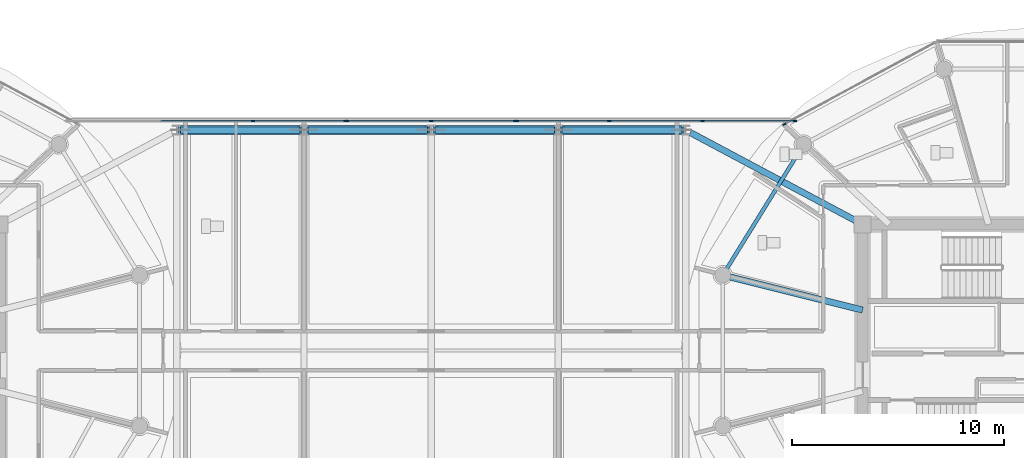
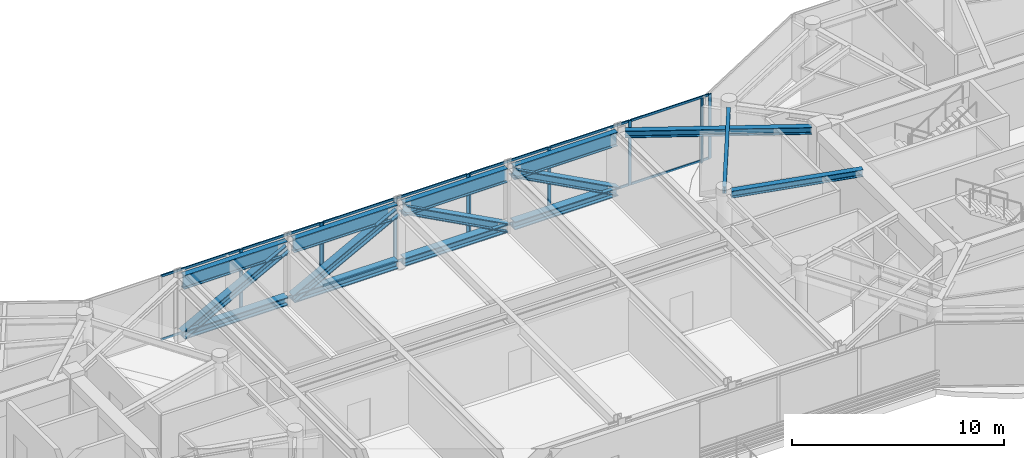
# One storey, part 8 of 31: 32 members, 7 beams, 4 elements without a shape of their own.
"""IFC4 building model written with IfcOpenShell, lengths in metres."""

from ifc_helpers import new_model, si_unit, direction, frame, origin, origin_2d, place, context, subcontext, project, spatial, rectangle, i_section, extrude, source, transform, mapped, material, layer, layer_set, material_profile, profile_set, type_object, type_shapes, element, aggregate, save


model = new_model("IFC4")

# Units and contexts
model_context = context("Model", 3, precision=1e-05, world=origin(), true_north=direction((0.0, 1.0)))
body_context = subcontext(model_context, "Body", "Model", "MODEL_VIEW")
ifc_project = project(units=[si_unit("LENGTHUNIT", "METRE"), si_unit("AREAUNIT", "SQUARE_METRE"), si_unit("VOLUMEUNIT", "CUBIC_METRE"), si_unit("PLANEANGLEUNIT", "RADIAN"), si_unit("MASSUNIT", "GRAM", prefix="KILO")], contexts=[model_context])

# Site, building, storey
site_placement = place(None, origin())
site = spatial("IfcSite", under=ifc_project, at=site_placement, CompositionType="ELEMENT")
building_placement = place(site_placement, origin())
building = spatial("IfcBuilding", under=site, at=building_placement, Name="Norrkilde Senior Care Towers", CompositionType="ELEMENT")
storey_placement = place(building_placement, frame((0.0, 0.0, 199.800048828125)))
storey = spatial("IfcBuildingStorey", under=building, at=storey_placement, Name="L62", CompositionType="ELEMENT", Elevation=199.800048828125)

# Beams
ifc_material_1 = material(Name="Steel S355", Category="steel")
ifc_material_profile_1 = material_profile(ifc_material_1, i_section(OverallWidth=0.179931640625, OverallDepth=0.39990234375, WebThickness=0.008544921875, FlangeThickness=0.013427734375, FilletRadius=0.02099609375, at=origin_2d()), Name="IPE 400")
ifc_profile_set_1 = profile_set([ifc_material_profile_1], Name="Steel S355")
beam_type_1 = type_object("IfcBeamType", Name="Perimeter Ring Spandrel Z4 IPE400", PredefinedType="SPANDREL", material=ifc_profile_set_1)
shared_shape_1 = source(origin(), body_context, "Body", "SweptSolid", [
    extrude(i_section(OverallWidth=0.179931640625, OverallDepth=0.39990234375, WebThickness=0.008544921875, FlangeThickness=0.013427734375, FilletRadius=0.02099609375, at=origin_2d()), origin(), (0.0, 0.0, 1.0), 6.58056640625),
])
type_shapes(beam_type_1, [shared_shape_1])
beam_1_placement = place(storey_placement, frame((17.393798828125, 9.43798828125, 3.510009765625), z_axis=(-0.526529583789, -0.850156807533, 0.0), x_axis=(0.850156807533, -0.526529583789, 0.0)))
element("IfcBeam", 1, at=beam_1_placement, inside=storey, type_object=beam_type_1, Name="L62 Drum E Perimeter Spandrel 05", PredefinedType="SPANDREL", context=body_context, shape_type="MappedRepresentation", body=[
    mapped(shared_shape_1, transform((0.0, 0.0, 0.0), x_axis=(1.0, 0.0, 0.0), y_axis=(0.0, 1.0, 0.0), z_axis=(0.0, 0.0, 1.0), scale=1.0)),
])
ifc_material_profile_2 = material_profile(ifc_material_1, i_section(OverallWidth=0.300048828125, OverallDepth=0.39990234375, WebThickness=0.013427734375, FlangeThickness=0.02392578125, FilletRadius=0.027099609375, at=origin_2d()), Name="HEB 400")
ifc_profile_set_2 = profile_set([ifc_material_profile_2], Name="Steel S355")
beam_type_2 = type_object("IfcBeamType", Name="Radial Floor Beam Z4 HEB400", PredefinedType="BEAM", material=ifc_profile_set_2)
shared_shape_2 = source(origin(), body_context, "Body", "SweptSolid", [
    extrude(i_section(OverallWidth=0.300048828125, OverallDepth=0.39990234375, WebThickness=0.013427734375, FlangeThickness=0.02392578125, FilletRadius=0.027099609375, at=origin_2d()), origin(), (0.0, 0.0, 1.0), 6.465087890625),
])
beam_2_placement = place(storey_placement, frame((20.35009765625, 1.910888671875, 3.510009765625), z_axis=(-0.970195788563, 0.242322371758, 0.0), x_axis=(-0.242322371758, -0.970195788563, 0.0)))
element("IfcBeam", 2, at=beam_2_placement, inside=storey, type_object=beam_type_2, Name="L62 Drum E Radial Floor Beam 06", PredefinedType="BEAM", context=body_context, shape_type="MappedRepresentation", body=[
    mapped(shared_shape_2, transform((0.0, 0.0, 0.0), x_axis=(1.0, 0.0, 0.0), y_axis=(0.0, 1.0, 0.0), z_axis=(0.0, 0.0, 1.0), scale=1.0)),
])
shared_shape_3 = source(origin(), body_context, "Body", "SweptSolid", [
    extrude(i_section(OverallWidth=0.300048828125, OverallDepth=0.39990234375, WebThickness=0.013427734375, FlangeThickness=0.02392578125, FilletRadius=0.027099609375, at=origin_2d()), origin(), (0.0, 0.0, 1.0), 8.831787109375),
])
type_shapes(beam_type_2, [shared_shape_2, shared_shape_3])
beam_3_placement = place(storey_placement, frame((12.220703125, 10.282470703125, 3.510009765625), z_axis=(0.882492172381, -0.470327083727, 0.0), x_axis=(0.470327083727, 0.882492172381, 0.0)))
element("IfcBeam", 3, at=beam_3_placement, inside=storey, type_object=beam_type_2, Name="L62 Sky-Gate Bridge Girder N6", PredefinedType="BEAM", context=body_context, shape_type="MappedRepresentation", body=[
    mapped(shared_shape_3, transform((0.0, 0.0, 0.0), x_axis=(1.0, 0.0, 0.0), y_axis=(0.0, 1.0, 0.0), z_axis=(0.0, 0.0, 1.0), scale=1.0)),
])
ifc_material_profile_3 = material_profile(ifc_material_1, i_section(OverallWidth=0.300048828125, OverallDepth=0.800048828125, WebThickness=0.017578125, FlangeThickness=0.032958984375, FilletRadius=0.030029296875, at=origin_2d()), Name="HEB 800")
ifc_profile_set_3 = profile_set([ifc_material_profile_3], Name="Steel S355")
beam_type_3 = type_object("IfcBeamType", Name="Bridge Floor Girder HEB800", PredefinedType="USERDEFINED", material=ifc_profile_set_3)
shared_shape_4 = source(origin(), body_context, "Body", "SweptSolid", [
    extrude(i_section(OverallWidth=0.300048828125, OverallDepth=0.800048828125, WebThickness=0.017578125, FlangeThickness=0.032958984375, FilletRadius=0.030029296875, at=origin_2d()), origin(), (0.0, 0.0, 1.0), 5.64013671875),
])
type_shapes(beam_type_3, [shared_shape_4])
for number, where, z_axis, x_axis, name in (
    (4, (-11.820068359375, 10.39990234375, 3.31005859375), (1.0, 0.0, 0.0), (0.0, 1.0, 0.0), "L62 Sky-Gate Bridge Girder N2"),
    (5, (-5.820068359375, 10.39990234375, 3.31005859375), (1.0, 0.0, 0.0), (0.0, 1.0, 0.0), "L62 Sky-Gate Bridge Girder N3"),
    (6, (0.179931640625, 10.39990234375, 3.31005859375), (1.0, 0.0, 0.0), (0.0, 1.0, 0.0), "L62 Sky-Gate Bridge Girder N4"),
    (7, (6.179931640625, 10.39990234375, 3.31005859375), (1.0, 0.0, 0.0), (0.0, 1.0, 0.0), "L62 Sky-Gate Bridge Girder N5"),
):
    element("IfcBeam", number, at=place(storey_placement, frame(where, z_axis=z_axis, x_axis=x_axis)), inside=storey, type_object=beam_type_3, Name=name, ObjectType="GIRDER", PredefinedType="USERDEFINED", context=body_context, shape_type="MappedRepresentation", body=[
        mapped(shared_shape_4, transform((0.0, 0.0, 0.0), x_axis=(1.0, 0.0, 0.0), y_axis=(0.0, 1.0, 0.0), z_axis=(0.0, 0.0, 1.0), scale=1.0)),
    ])

# Members
ifc_material_profile_4 = material_profile(ifc_material_1, i_section(OverallWidth=0.4169921875, OverallDepth=0.465087890625, WebThickness=0.031982421875, FlangeThickness=0.050048828125, FilletRadius=0.014892578125, at=origin_2d()), Name="HD 400x592")
ifc_profile_set_4 = profile_set([ifc_material_profile_4], Name="Steel S355")
member_type_1 = type_object("IfcMemberType", Name="Pratt Bridge Truss Chord HD400x592", PredefinedType="CHORD", material=ifc_profile_set_4)
shared_shape_5 = source(origin(), body_context, "Body", "SweptSolid", [
    extrude(i_section(OverallWidth=0.4169921875, OverallDepth=0.465087890625, WebThickness=0.031982421875, FlangeThickness=0.050048828125, FilletRadius=0.014892578125, at=origin_2d()), origin(), (0.0, 0.0, 1.0), 5.64013671875),
])
type_shapes(member_type_1, [shared_shape_5])
for number, where, z_axis, x_axis, name in (
    (8, (-11.820068359375, 10.39990234375, 0.300048828125), (1.0, 0.0, 0.0), (0.0, 1.0, 0.0), "L62 Sky-Gate Pratt Truss Bottom Chord N2"),
    (9, (-5.820068359375, 10.39990234375, 0.300048828125), (1.0, 0.0, 0.0), (0.0, 1.0, 0.0), "L62 Sky-Gate Pratt Truss Bottom Chord N3"),
    (10, (0.179931640625, 10.39990234375, 0.300048828125), (1.0, 0.0, 0.0), (0.0, 1.0, 0.0), "L62 Sky-Gate Pratt Truss Bottom Chord N4"),
    (11, (6.179931640625, 10.39990234375, 0.300048828125), (1.0, 0.0, 0.0), (0.0, 1.0, 0.0), "L62 Sky-Gate Pratt Truss Bottom Chord N5"),
):
    element("IfcMember", number, at=place(storey_placement, frame(where, z_axis=z_axis, x_axis=x_axis)), inside=storey, type_object=member_type_1, Name=name, PredefinedType="CHORD", context=body_context, shape_type="MappedRepresentation", body=[
        mapped(shared_shape_5, transform((0.0, 0.0, 0.0), x_axis=(1.0, 0.0, 0.0), y_axis=(0.0, 1.0, 0.0), z_axis=(0.0, 0.0, 1.0), scale=1.0)),
    ])
ifc_material_profile_5 = material_profile(ifc_material_1, i_section(OverallWidth=0.412109375, OverallDepth=0.449951171875, WebThickness=0.028076171875, FlangeThickness=0.044921875, FilletRadius=0.014892578125, at=origin_2d()), Name="HD 400x509")
ifc_profile_set_5 = profile_set([ifc_material_profile_5], Name="Steel S355")
member_type_2 = type_object("IfcMemberType", Name="Pratt Bridge Truss Diagonal HD400x509", PredefinedType="BRACE", material=ifc_profile_set_5)
shared_shape_6 = source(origin(), body_context, "Body", "SweptSolid", [
    extrude(i_section(OverallWidth=0.412109375, OverallDepth=0.449951171875, WebThickness=0.028076171875, FlangeThickness=0.044921875, FilletRadius=0.014892578125, at=origin_2d()), origin(), (0.0, 0.0, 1.0), 6.39306640625),
])
type_shapes(member_type_2, [shared_shape_6])
for number, where, z_axis, x_axis, name in (
    (12, (-11.820068359375, 10.39990234375, 0.300048828125), (0.882227112754, 0.0, 0.470824087661), (0.0, 1.0, 0.0), "L62 Sky-Gate Pratt Truss Diagonal N2"),
    (13, (-5.820068359375, 10.39990234375, 0.300048828125), (0.882227112754, 0.0, 0.470824087661), (0.0, 1.0, 0.0), "L62 Sky-Gate Pratt Truss Diagonal N3"),
    (14, (5.820068359375, 10.39990234375, 0.300048828125), (-0.882227112754, 0.0, 0.470824087661), (0.0, -1.0, 0.0), "L62 Sky-Gate Pratt Truss Diagonal N4"),
    (15, (11.820068359375, 10.39990234375, 0.300048828125), (-0.882227112754, 0.0, 0.470824087661), (0.0, -1.0, 0.0), "L62 Sky-Gate Pratt Truss Diagonal N5"),
):
    element("IfcMember", number, at=place(storey_placement, frame(where, z_axis=z_axis, x_axis=x_axis)), inside=storey, type_object=member_type_2, Name=name, PredefinedType="BRACE", context=body_context, shape_type="MappedRepresentation", body=[
        mapped(shared_shape_6, transform((0.0, 0.0, 0.0), x_axis=(1.0, 0.0, 0.0), y_axis=(0.0, 1.0, 0.0), z_axis=(0.0, 0.0, 1.0), scale=1.0)),
    ])

# Curtain wall, member
ifc_material_2 = material(Name="Triple Low-E Insulated Glazing", Category="glass")
ifc_layer_1 = layer(ifc_material_2, 0.18505859375)
ifc_layer_set_1 = layer_set([ifc_layer_1], Name="Triple Low-E Insulated Glazing")
curtain_wall_type_1 = type_object("IfcCurtainWallType", Name="CW6 Zone 4 Crown Pavilion Curtain Wall", PredefinedType="NOTDEFINED", material=ifc_layer_set_1)
curtain_wall_1_placement = place(storey_placement, origin())
curtain_wall_1 = element("IfcCurtainWall", 16, at=curtain_wall_1_placement, inside=storey, type_object=curtain_wall_type_1, Name="L62 Drum E Curtain Wall 03", PredefinedType="NOTDEFINED")
ifc_material_3 = material(Name="Anodised Aluminium", Category="aluminium")
ifc_material_profile_6 = material_profile(ifc_material_3, rectangle(XDim=0.06494140625, YDim=0.14990234375, at=origin_2d()), Name="ALU MULL 65x150")
ifc_profile_set_6 = profile_set([ifc_material_profile_6], Name="Anodised Aluminium")
member_type_3 = type_object("IfcMemberType", Name="Curtain Wall Mullion Z3-Z4 65x150", PredefinedType="MULLION", material=ifc_profile_set_6)
shared_shape_7 = source(origin(), body_context, "Body", "SweptSolid", [
    extrude(rectangle(XDim=0.06494140625, YDim=0.14990234375, at=origin_2d()), origin(), (0.0, 0.0, 1.0), 3.7099609375),
])
type_shapes(member_type_3, [shared_shape_7])
member_1_placement = place(storey_placement, frame((16.658203125, 10.6787109375, 0.0), z_axis=(0.0, 0.0, 1.0), x_axis=(-0.476132676136, 0.879373455772, 0.0)))
member_1 = element("IfcMember", 17, at=member_1_placement, type_object=member_type_3, Name="CW-6 mullion 1", PredefinedType="MULLION", context=body_context, shape_type="MappedRepresentation", body=[
    mapped(shared_shape_7, transform((0.0, 0.0, 0.0), x_axis=(1.0, 0.0, 0.0), y_axis=(0.0, 1.0, 0.0), z_axis=(0.0, 0.0, 1.0), scale=1.0)),
])
aggregate(curtain_wall_1, [member_1])

# Curtain wall, members
ifc_layer_2 = layer(ifc_material_2, 0.2099609375)
ifc_layer_set_2 = layer_set([ifc_layer_2], Name="Triple Low-E Insulated Glazing")
curtain_wall_type_2 = type_object("IfcCurtainWallType", Name="CW5 Sky-Gate Bridge Curtain Wall", PredefinedType="NOTDEFINED", material=ifc_layer_set_2)
curtain_wall_2_placement = place(storey_placement, origin())
curtain_wall_2 = element("IfcCurtainWall", 18, at=curtain_wall_2_placement, inside=storey, type_object=curtain_wall_type_2, Name="L62 Sky-Gate Bridge North Curtain Wall 1", PredefinedType="NOTDEFINED")
ifc_material_profile_7 = material_profile(ifc_material_3, rectangle(XDim=0.070068359375, YDim=0.169921875, at=origin_2d()), Name="ALU MULL 70x170")
ifc_profile_set_7 = profile_set([ifc_material_profile_7], Name="Anodised Aluminium")
member_type_4 = type_object("IfcMemberType", Name="Curtain Wall Mullion Heavy 70x170", PredefinedType="MULLION", material=ifc_profile_set_7)
shared_shape_8 = source(origin(), body_context, "Body", "SweptSolid", [
    extrude(rectangle(XDim=0.070068359375, YDim=0.169921875, at=origin_2d()), origin(), (0.0, 0.0, 1.0), 3.7099609375),
])
type_shapes(member_type_4, [shared_shape_8])
member_2_placement = place(storey_placement, frame((-8.39990234375, 10.820068359375, 0.0), z_axis=(0.0, 0.0, 1.0), x_axis=(0.0, 1.0, 0.0)))
member_2 = element("IfcMember", 19, at=member_2_placement, type_object=member_type_4, Name="CW-5 mullion 3", PredefinedType="MULLION", context=body_context, shape_type="MappedRepresentation", body=[
    mapped(shared_shape_8, transform((0.0, 0.0, 0.0), x_axis=(1.0, 0.0, 0.0), y_axis=(0.0, 1.0, 0.0), z_axis=(0.0, 0.0, 1.0), scale=1.0)),
])
member_3_placement = place(storey_placement, frame((-4.034912109375, 10.820068359375, 0.0), z_axis=(0.0, 0.0, 1.0), x_axis=(0.0, 1.0, 0.0)))
member_3 = element("IfcMember", 20, at=member_3_placement, type_object=member_type_4, Name="CW-5 mullion 4", PredefinedType="MULLION", context=body_context, shape_type="MappedRepresentation", body=[
    mapped(shared_shape_8, transform((0.0, 0.0, 0.0), x_axis=(1.0, 0.0, 0.0), y_axis=(0.0, 1.0, 0.0), z_axis=(0.0, 0.0, 1.0), scale=1.0)),
])

curtain_wall_3_placement = place(storey_placement, origin())
curtain_wall_3 = element("IfcCurtainWall", 21, at=curtain_wall_3_placement, inside=storey, type_object=curtain_wall_type_2, Name="L62 Sky-Gate Bridge North Curtain Wall 2", PredefinedType="NOTDEFINED")
member_4_placement = place(storey_placement, frame((-3.965087890625, 10.820068359375, 0.0), z_axis=(0.0, 0.0, 1.0), x_axis=(0.0, 1.0, 0.0)))
member_4 = element("IfcMember", 22, at=member_4_placement, type_object=member_type_4, Name="CW-5 mullion 1", PredefinedType="MULLION", context=body_context, shape_type="MappedRepresentation", body=[
    mapped(shared_shape_8, transform((0.0, 0.0, 0.0), x_axis=(1.0, 0.0, 0.0), y_axis=(0.0, 1.0, 0.0), z_axis=(0.0, 0.0, 1.0), scale=1.0)),
])
member_5_placement = place(storey_placement, frame((0.0, 10.820068359375, 0.0), z_axis=(0.0, 0.0, 1.0), x_axis=(0.0, 1.0, 0.0)))
member_5 = element("IfcMember", 23, at=member_5_placement, type_object=member_type_4, Name="CW-5 mullion 2", PredefinedType="MULLION", context=body_context, shape_type="MappedRepresentation", body=[
    mapped(shared_shape_8, transform((0.0, 0.0, 0.0), x_axis=(1.0, 0.0, 0.0), y_axis=(0.0, 1.0, 0.0), z_axis=(0.0, 0.0, 1.0), scale=1.0)),
])
member_6_placement = place(storey_placement, frame((3.965087890625, 10.820068359375, 0.0), z_axis=(0.0, 0.0, 1.0), x_axis=(0.0, 1.0, 0.0)))
member_6 = element("IfcMember", 24, at=member_6_placement, type_object=member_type_4, Name="CW-5 mullion 3", PredefinedType="MULLION", context=body_context, shape_type="MappedRepresentation", body=[
    mapped(shared_shape_8, transform((0.0, 0.0, 0.0), x_axis=(1.0, 0.0, 0.0), y_axis=(0.0, 1.0, 0.0), z_axis=(0.0, 0.0, 1.0), scale=1.0)),
])

curtain_wall_4_placement = place(storey_placement, origin())
curtain_wall_4 = element("IfcCurtainWall", 25, at=curtain_wall_4_placement, inside=storey, type_object=curtain_wall_type_2, Name="L62 Sky-Gate Bridge North Curtain Wall 3", PredefinedType="NOTDEFINED")
member_7_placement = place(storey_placement, frame((4.034912109375, 10.820068359375, 0.0), z_axis=(0.0, 0.0, 1.0), x_axis=(0.0, 1.0, 0.0)))
member_7 = element("IfcMember", 26, at=member_7_placement, type_object=member_type_4, Name="CW-5 mullion 1", PredefinedType="MULLION", context=body_context, shape_type="MappedRepresentation", body=[
    mapped(shared_shape_8, transform((0.0, 0.0, 0.0), x_axis=(1.0, 0.0, 0.0), y_axis=(0.0, 1.0, 0.0), z_axis=(0.0, 0.0, 1.0), scale=1.0)),
])
member_8_placement = place(storey_placement, frame((8.39990234375, 10.820068359375, 0.0), z_axis=(0.0, 0.0, 1.0), x_axis=(0.0, 1.0, 0.0)))
member_8 = element("IfcMember", 27, at=member_8_placement, type_object=member_type_4, Name="CW-5 mullion 2", PredefinedType="MULLION", context=body_context, shape_type="MappedRepresentation", body=[
    mapped(shared_shape_8, transform((0.0, 0.0, 0.0), x_axis=(1.0, 0.0, 0.0), y_axis=(0.0, 1.0, 0.0), z_axis=(0.0, 0.0, 1.0), scale=1.0)),
])
member_9_placement = place(storey_placement, frame((12.800048828125, 10.820068359375, 0.0), z_axis=(0.0, 0.0, 1.0), x_axis=(0.0, 1.0, 0.0)))
member_9 = element("IfcMember", 28, at=member_9_placement, type_object=member_type_4, Name="CW-5 mullion 3", PredefinedType="MULLION", context=body_context, shape_type="MappedRepresentation", body=[
    mapped(shared_shape_8, transform((0.0, 0.0, 0.0), x_axis=(1.0, 0.0, 0.0), y_axis=(0.0, 1.0, 0.0), z_axis=(0.0, 0.0, 1.0), scale=1.0)),
])
member_10_placement = place(storey_placement, frame((17.1650390625, 10.820068359375, 0.0), z_axis=(0.0, 0.0, 1.0), x_axis=(0.0, 1.0, 0.0)))
member_10 = element("IfcMember", 29, at=member_10_placement, type_object=member_type_4, Name="CW-5 mullion 4", PredefinedType="MULLION", context=body_context, shape_type="MappedRepresentation", body=[
    mapped(shared_shape_8, transform((0.0, 0.0, 0.0), x_axis=(1.0, 0.0, 0.0), y_axis=(0.0, 1.0, 0.0), z_axis=(0.0, 0.0, 1.0), scale=1.0)),
])

# Member
ifc_material_profile_8 = material_profile(ifc_material_3, rectangle(XDim=0.06494140625, YDim=0.1298828125, at=origin_2d()), Name="ALU TRAN 65x130")
ifc_profile_set_8 = profile_set([ifc_material_profile_8], Name="Anodised Aluminium")
member_type_5 = type_object("IfcMemberType", Name="Curtain Wall Transom Heavy 65x130", PredefinedType="USERDEFINED", material=ifc_profile_set_8)
shared_shape_9 = source(origin(), body_context, "Body", "SweptSolid", [
    extrude(rectangle(XDim=0.06494140625, YDim=0.1298828125, at=origin_2d()), origin(), (0.0, 0.0, 1.0), 4.294921875),
])
member_11_placement = place(storey_placement, frame((-8.364990234375, 10.820068359375, 0.032470703125), z_axis=(1.0, 0.0, 0.0), x_axis=(0.0, 1.0, 0.0)))
member_11 = element("IfcMember", 30, at=member_11_placement, type_object=member_type_5, Name="CW-5 transom 3.1", ObjectType="TRANSOM", PredefinedType="USERDEFINED", context=body_context, shape_type="MappedRepresentation", body=[
    mapped(shared_shape_9, transform((0.0, 0.0, 0.0), x_axis=(1.0, 0.0, 0.0), y_axis=(0.0, 1.0, 0.0), z_axis=(0.0, 0.0, 1.0), scale=1.0)),
])

member_12_placement = place(storey_placement, frame((-8.364990234375, 10.820068359375, 3.677490234375), z_axis=(1.0, 0.0, 0.0), x_axis=(0.0, 1.0, 0.0)))
member_12 = element("IfcMember", 31, at=member_12_placement, type_object=member_type_5, Name="CW-5 transom 3.2", ObjectType="TRANSOM", PredefinedType="USERDEFINED", context=body_context, shape_type="MappedRepresentation", body=[
    mapped(shared_shape_9, transform((0.0, 0.0, 0.0), x_axis=(1.0, 0.0, 0.0), y_axis=(0.0, 1.0, 0.0), z_axis=(0.0, 0.0, 1.0), scale=1.0)),
])

member_13_placement = place(storey_placement, frame((4.070068359375, 10.820068359375, 0.032470703125), z_axis=(1.0, 0.0, 0.0), x_axis=(0.0, 1.0, 0.0)))
member_13 = element("IfcMember", 32, at=member_13_placement, type_object=member_type_5, Name="CW-5 transom 1.1", ObjectType="TRANSOM", PredefinedType="USERDEFINED", context=body_context, shape_type="MappedRepresentation", body=[
    mapped(shared_shape_9, transform((0.0, 0.0, 0.0), x_axis=(1.0, 0.0, 0.0), y_axis=(0.0, 1.0, 0.0), z_axis=(0.0, 0.0, 1.0), scale=1.0)),
])

member_14_placement = place(storey_placement, frame((4.070068359375, 10.820068359375, 3.677490234375), z_axis=(1.0, 0.0, 0.0), x_axis=(0.0, 1.0, 0.0)))
member_14 = element("IfcMember", 33, at=member_14_placement, type_object=member_type_5, Name="CW-5 transom 1.2", ObjectType="TRANSOM", PredefinedType="USERDEFINED", context=body_context, shape_type="MappedRepresentation", body=[
    mapped(shared_shape_9, transform((0.0, 0.0, 0.0), x_axis=(1.0, 0.0, 0.0), y_axis=(0.0, 1.0, 0.0), z_axis=(0.0, 0.0, 1.0), scale=1.0)),
])

member_15_placement = place(storey_placement, frame((12.8349609375, 10.820068359375, 0.032470703125), z_axis=(1.0, 0.0, 0.0), x_axis=(0.0, 1.0, 0.0)))
member_15 = element("IfcMember", 34, at=member_15_placement, type_object=member_type_5, Name="CW-5 transom 3.1", ObjectType="TRANSOM", PredefinedType="USERDEFINED", context=body_context, shape_type="MappedRepresentation", body=[
    mapped(shared_shape_9, transform((0.0, 0.0, 0.0), x_axis=(1.0, 0.0, 0.0), y_axis=(0.0, 1.0, 0.0), z_axis=(0.0, 0.0, 1.0), scale=1.0)),
])

member_16_placement = place(storey_placement, frame((12.8349609375, 10.820068359375, 3.677490234375), z_axis=(1.0, 0.0, 0.0), x_axis=(0.0, 1.0, 0.0)))
member_16 = element("IfcMember", 35, at=member_16_placement, type_object=member_type_5, Name="CW-5 transom 3.2", ObjectType="TRANSOM", PredefinedType="USERDEFINED", context=body_context, shape_type="MappedRepresentation", body=[
    mapped(shared_shape_9, transform((0.0, 0.0, 0.0), x_axis=(1.0, 0.0, 0.0), y_axis=(0.0, 1.0, 0.0), z_axis=(0.0, 0.0, 1.0), scale=1.0)),
])

shared_shape_10 = source(origin(), body_context, "Body", "SweptSolid", [
    extrude(rectangle(XDim=0.06494140625, YDim=0.1298828125, at=origin_2d()), origin(), (0.0, 0.0, 1.0), 4.329833984375),
])
member_17_placement = place(storey_placement, frame((-12.764892578125, 10.820068359375, 0.032470703125), z_axis=(1.0, 0.0, 0.0), x_axis=(0.0, 1.0, 0.0)))
member_17 = element("IfcMember", 36, at=member_17_placement, type_object=member_type_5, Name="CW-5 transom 2.1", ObjectType="TRANSOM", PredefinedType="USERDEFINED", context=body_context, shape_type="MappedRepresentation", body=[
    mapped(shared_shape_10, transform((0.0, 0.0, 0.0), x_axis=(1.0, 0.0, 0.0), y_axis=(0.0, 1.0, 0.0), z_axis=(0.0, 0.0, 1.0), scale=1.0)),
])

member_18_placement = place(storey_placement, frame((-12.764892578125, 10.820068359375, 3.677490234375), z_axis=(1.0, 0.0, 0.0), x_axis=(0.0, 1.0, 0.0)))
member_18 = element("IfcMember", 37, at=member_18_placement, type_object=member_type_5, Name="CW-5 transom 2.2", ObjectType="TRANSOM", PredefinedType="USERDEFINED", context=body_context, shape_type="MappedRepresentation", body=[
    mapped(shared_shape_10, transform((0.0, 0.0, 0.0), x_axis=(1.0, 0.0, 0.0), y_axis=(0.0, 1.0, 0.0), z_axis=(0.0, 0.0, 1.0), scale=1.0)),
])

aggregate(curtain_wall_2, [member_2, member_3, member_17, member_18, member_11, member_12])

member_19_placement = place(storey_placement, frame((8.43505859375, 10.820068359375, 0.032470703125), z_axis=(1.0, 0.0, 0.0), x_axis=(0.0, 1.0, 0.0)))
member_19 = element("IfcMember", 38, at=member_19_placement, type_object=member_type_5, Name="CW-5 transom 2.1", ObjectType="TRANSOM", PredefinedType="USERDEFINED", context=body_context, shape_type="MappedRepresentation", body=[
    mapped(shared_shape_10, transform((0.0, 0.0, 0.0), x_axis=(1.0, 0.0, 0.0), y_axis=(0.0, 1.0, 0.0), z_axis=(0.0, 0.0, 1.0), scale=1.0)),
])

member_20_placement = place(storey_placement, frame((8.43505859375, 10.820068359375, 3.677490234375), z_axis=(1.0, 0.0, 0.0), x_axis=(0.0, 1.0, 0.0)))
member_20 = element("IfcMember", 39, at=member_20_placement, type_object=member_type_5, Name="CW-5 transom 2.2", ObjectType="TRANSOM", PredefinedType="USERDEFINED", context=body_context, shape_type="MappedRepresentation", body=[
    mapped(shared_shape_10, transform((0.0, 0.0, 0.0), x_axis=(1.0, 0.0, 0.0), y_axis=(0.0, 1.0, 0.0), z_axis=(0.0, 0.0, 1.0), scale=1.0)),
])

aggregate(curtain_wall_4, [member_7, member_8, member_9, member_10, member_13, member_14, member_19, member_20, member_15, member_16])

shared_shape_11 = source(origin(), body_context, "Body", "SweptSolid", [
    extrude(rectangle(XDim=0.06494140625, YDim=0.1298828125, at=origin_2d()), origin(), (0.0, 0.0, 1.0), 3.89501953125),
])
type_shapes(member_type_5, [shared_shape_9, shared_shape_10, shared_shape_11])
member_21_placement = place(storey_placement, frame((-3.929931640625, 10.820068359375, 0.032470703125), z_axis=(1.0, 0.0, 0.0), x_axis=(0.0, 1.0, 0.0)))
member_21 = element("IfcMember", 40, at=member_21_placement, type_object=member_type_5, Name="CW-5 transom 1.1", ObjectType="TRANSOM", PredefinedType="USERDEFINED", context=body_context, shape_type="MappedRepresentation", body=[
    mapped(shared_shape_11, transform((0.0, 0.0, 0.0), x_axis=(1.0, 0.0, 0.0), y_axis=(0.0, 1.0, 0.0), z_axis=(0.0, 0.0, 1.0), scale=1.0)),
])

member_22_placement = place(storey_placement, frame((-3.929931640625, 10.820068359375, 3.677490234375), z_axis=(1.0, 0.0, 0.0), x_axis=(0.0, 1.0, 0.0)))
member_22 = element("IfcMember", 41, at=member_22_placement, type_object=member_type_5, Name="CW-5 transom 1.2", ObjectType="TRANSOM", PredefinedType="USERDEFINED", context=body_context, shape_type="MappedRepresentation", body=[
    mapped(shared_shape_11, transform((0.0, 0.0, 0.0), x_axis=(1.0, 0.0, 0.0), y_axis=(0.0, 1.0, 0.0), z_axis=(0.0, 0.0, 1.0), scale=1.0)),
])

member_23_placement = place(storey_placement, frame((0.034912109375, 10.820068359375, 0.032470703125), z_axis=(1.0, 0.0, 0.0), x_axis=(0.0, 1.0, 0.0)))
member_23 = element("IfcMember", 42, at=member_23_placement, type_object=member_type_5, Name="CW-5 transom 2.1", ObjectType="TRANSOM", PredefinedType="USERDEFINED", context=body_context, shape_type="MappedRepresentation", body=[
    mapped(shared_shape_11, transform((0.0, 0.0, 0.0), x_axis=(1.0, 0.0, 0.0), y_axis=(0.0, 1.0, 0.0), z_axis=(0.0, 0.0, 1.0), scale=1.0)),
])

member_24_placement = place(storey_placement, frame((0.034912109375, 10.820068359375, 3.677490234375), z_axis=(1.0, 0.0, 0.0), x_axis=(0.0, 1.0, 0.0)))
member_24 = element("IfcMember", 43, at=member_24_placement, type_object=member_type_5, Name="CW-5 transom 2.2", ObjectType="TRANSOM", PredefinedType="USERDEFINED", context=body_context, shape_type="MappedRepresentation", body=[
    mapped(shared_shape_11, transform((0.0, 0.0, 0.0), x_axis=(1.0, 0.0, 0.0), y_axis=(0.0, 1.0, 0.0), z_axis=(0.0, 0.0, 1.0), scale=1.0)),
])

aggregate(curtain_wall_3, [member_4, member_5, member_6, member_21, member_22, member_23, member_24])

save(model, "model.ifc")
